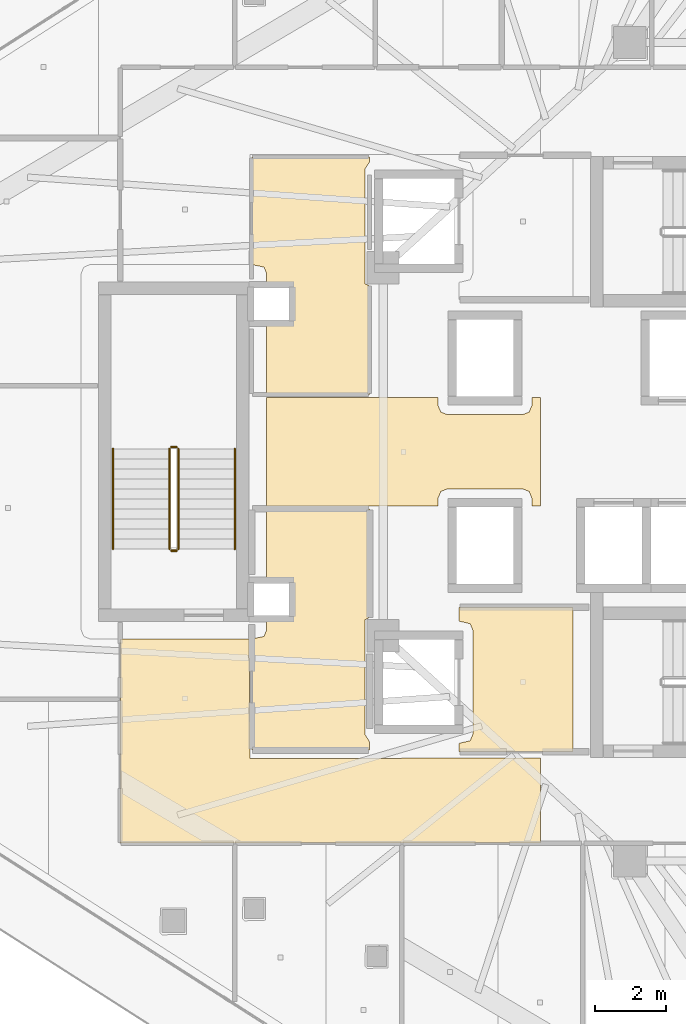
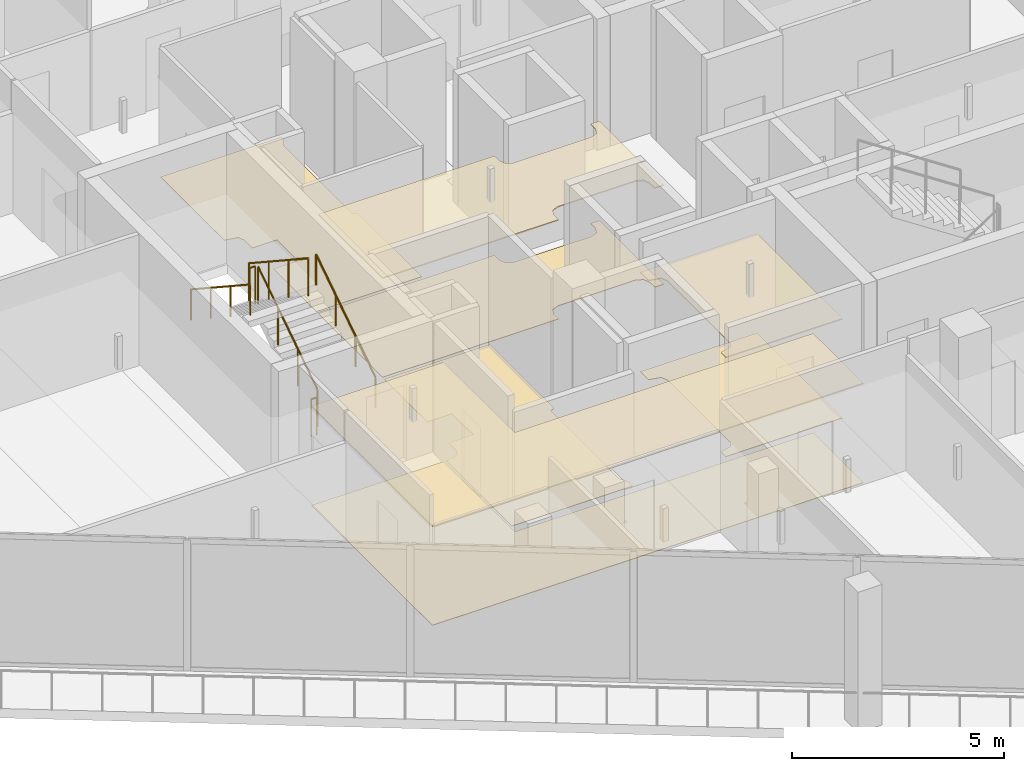
# One storey, part 29 of 33: 8 coverings, 6 railings.
"""IFC4 building model written with IfcOpenShell, lengths in metres."""

from ifc_helpers import new_model, si_unit, direction, frame, origin, origin_2d, place, context, subcontext, project, spatial, polyline, circle, outline, extrude, material, layer, layer_set, type_object, element, save


model = new_model("IFC4")

# Units and contexts
model_context = context("Model", 3, precision=1e-05, world=origin(), true_north=direction((0.0, 1.0)))
body_context = subcontext(model_context, "Body", "Model", "MODEL_VIEW")
ifc_project = project(units=[si_unit("LENGTHUNIT", "METRE"), si_unit("AREAUNIT", "SQUARE_METRE"), si_unit("VOLUMEUNIT", "CUBIC_METRE"), si_unit("PLANEANGLEUNIT", "RADIAN"), si_unit("MASSUNIT", "GRAM", prefix="KILO")], contexts=[model_context])

# Site, building, storey
site_placement = place(None, origin())
site = spatial("IfcSite", under=ifc_project, at=site_placement, CompositionType="ELEMENT")
building_placement = place(site_placement, origin())
building = spatial("IfcBuilding", under=site, at=building_placement, Name="Qorvath Tower", CompositionType="ELEMENT")
storey_placement = place(building_placement, frame((0.0, 0.0, 209.10009765625)))
storey = spatial("IfcBuildingStorey", under=building, at=storey_placement, Name="L48", CompositionType="ELEMENT", Elevation=209.10009765625)

# Coverings
ifc_material_1 = material(Name="Acoustic mineral fibre ceiling tile", Category="gypsum")
ifc_layer_1 = layer(ifc_material_1, 0.030029296875)
ifc_layer_set_1 = layer_set([ifc_layer_1], Name="COV-CEIL")
covering_type_1 = type_object("IfcCoveringType", Name="COV-CEIL", PredefinedType="CEILING", material=ifc_layer_set_1)
covering_1_placement = place(storey_placement, frame((0.0, 0.0, 2.849853515625)))
element("IfcCovering", 1, at=covering_1_placement, inside=storey, type_object=covering_type_1, Name="L48 Suspended Acoustic Ceiling 002", PredefinedType="CEILING", context=body_context, shape_type="SweptSolid", body=[
    extrude(outline(polyline([(-25.18994140625, -8.39501953125), (-25.18994140625, -4.35498046875), (-28.375, -4.35498046875), (-28.375, -4.739990234375), (-28.063232421875, -4.813232421875), (-27.989990234375, -4.989990234375), (-27.989990234375, -7.909912109375), (-28.063232421875, -8.086669921875), (-28.375, -8.159912109375), (-28.375, -8.39501953125), (-25.18994140625, -8.39501953125)])), origin(), (0.0, 0.0, 1.0), 0.030029296875),
])
covering_2_placement = place(storey_placement, frame((0.0, 0.0, 2.849853515625)))
element("IfcCovering", 2, at=covering_2_placement, inside=storey, type_object=covering_type_1, Name="L48 Suspended Acoustic Ceiling 007", PredefinedType="CEILING", context=body_context, shape_type="SweptSolid", body=[
    extrude(outline(polyline([(-34.22509765625, -8.580078125), (-34.251220703125, -5.239990234375), (-37.844970703125, -5.239990234375), (-37.844970703125, -10.945068359375), (-26.09521484375, -10.945068359375), (-26.09521484375, -8.57470703125), (-34.22509765625, -8.580078125)])), origin(), (0.0, 0.0, 1.0), 0.030029296875),
])
covering_3_placement = place(storey_placement, frame((0.0, 0.0, 2.849853515625)))
element("IfcCovering", 3, at=covering_3_placement, inside=storey, type_object=covering_type_1, Name="L48 Suspended Acoustic Ceiling 009", PredefinedType="CEILING", context=body_context, shape_type="SweptSolid", body=[
    extrude(outline(polyline([(-26.09521484375, -1.514892578125), (-26.09521484375, 1.514892578125), (-26.340087890625, 1.514892578125), (-26.340087890625, 1.2900390625), (-26.413330078125, 1.11328125), (-26.590087890625, 1.0400390625), (-28.7099609375, 1.0400390625), (-28.88671875, 1.11328125), (-28.9599609375, 1.2900390625), (-28.9599609375, 1.514892578125), (-33.760009765625, 1.514892578125), (-33.760009765625, -1.514892578125), (-28.9599609375, -1.514892578125), (-28.9599609375, -1.2900390625), (-28.88671875, -1.11328125), (-28.7099609375, -1.0400390625), (-26.590087890625, -1.0400390625), (-26.413330078125, -1.11328125), (-26.340087890625, -1.2900390625), (-26.340087890625, -1.514892578125), (-26.09521484375, -1.514892578125)])), origin(), (0.0, 0.0, 1.0), 0.030029296875),
])
ifc_material_2 = material(Name="Low-VOC modular carpet tile", Category="textile")
ifc_layer_2 = layer(ifc_material_2, 0.014892578125)
ifc_layer_set_2 = layer_set([ifc_layer_2], Name="COV-FLOOR-CPT")
covering_type_2 = type_object("IfcCoveringType", Name="COV-FLOOR-CPT", PredefinedType="FLOORING", material=ifc_layer_set_2)
covering_4_placement = place(storey_placement, origin())
element("IfcCovering", 4, at=covering_4_placement, inside=storey, type_object=covering_type_2, Name="L48 Floor Finish 006", PredefinedType="FLOORING", context=body_context, shape_type="SweptSolid", body=[
    extrude(outline(polyline([(-30.885009765625, -1.60498046875), (-33.760009765625, -1.60498046875), (-33.760009765625, -3.636962890625), (-33.08837890625, -3.638427734375), (-33.0869140625, -4.6279296875), (-33.760009765625, -4.633056640625), (-33.760009765625, -4.989990234375), (-33.833251953125, -5.166748046875), (-34.175048828125, -5.239990234375), (-34.175048828125, -8.344970703125), (-30.885009765625, -8.344970703125), (-30.885009765625, -8.108154296875), (-31.010009765625, -7.909912109375), (-31.010009765625, -4.989990234375), (-31.010009765625, -4.699951171875), (-30.885009765625, -4.639892578125), (-30.885009765625, -1.60498046875)])), origin(), (0.0, 0.0, 1.0), 0.014892578125),
])
ifc_material_3 = material(Name="Polished epoxy terrazzo flooring", Category="concrete")
ifc_layer_3 = layer(ifc_material_3, 0.02001953125)
ifc_layer_set_3 = layer_set([ifc_layer_3], Name="COV-FLOOR-TRZ")
covering_type_3 = type_object("IfcCoveringType", Name="COV-FLOOR-TRZ", PredefinedType="FLOORING", material=ifc_layer_set_3)
covering_5_placement = place(storey_placement, origin())
element("IfcCovering", 5, at=covering_5_placement, inside=storey, type_object=covering_type_3, Name="L48 Floor Finish 002", PredefinedType="FLOORING", context=body_context, shape_type="SweptSolid", body=[
    extrude(outline(polyline([(-25.18994140625, -8.39501953125), (-25.18994140625, -4.35498046875), (-28.375, -4.35498046875), (-28.375, -4.739990234375), (-28.063232421875, -4.813232421875), (-27.989990234375, -4.989990234375), (-27.989990234375, -7.909912109375), (-28.063232421875, -8.086669921875), (-28.375, -8.159912109375), (-28.375, -8.39501953125), (-25.18994140625, -8.39501953125)])), origin(), (0.0, 0.0, 1.0), 0.014892578125),
])
covering_6_placement = place(storey_placement, origin())
element("IfcCovering", 6, at=covering_6_placement, inside=storey, type_object=covering_type_3, Name="L48 Floor Finish 005", PredefinedType="FLOORING", context=body_context, shape_type="SweptSolid", body=[
    extrude(outline(polyline([(-30.885009765625, 8.2451171875), (-34.175048828125, 8.2451171875), (-34.175048828125, 5.239990234375), (-33.833251953125, 5.166748046875), (-33.760009765625, 4.989990234375), (-33.760009765625, 4.633056640625), (-33.0869140625, 4.6279296875), (-33.08837890625, 3.638427734375), (-33.760009765625, 3.636962890625), (-33.760009765625, 1.60498046875), (-30.885009765625, 1.60498046875), (-30.885009765625, 4.639892578125), (-31.010009765625, 4.699951171875), (-31.010009765625, 7.909912109375), (-30.885009765625, 8.108154296875), (-30.885009765625, 8.2451171875)])), origin(), (0.0, 0.0, 1.0), 0.014892578125),
])
covering_7_placement = place(storey_placement, origin())
element("IfcCovering", 7, at=covering_7_placement, inside=storey, type_object=covering_type_3, Name="L48 Floor Finish 007", PredefinedType="FLOORING", context=body_context, shape_type="SweptSolid", body=[
    extrude(outline(polyline([(-34.22509765625, -8.580078125), (-34.251220703125, -5.239990234375), (-37.844970703125, -5.239990234375), (-37.844970703125, -10.945068359375), (-26.09521484375, -10.945068359375), (-26.09521484375, -8.57470703125), (-34.22509765625, -8.580078125)])), origin(), (0.0, 0.0, 1.0), 0.014892578125),
])
covering_8_placement = place(storey_placement, origin())
element("IfcCovering", 8, at=covering_8_placement, inside=storey, type_object=covering_type_3, Name="L48 Floor Finish 009", PredefinedType="FLOORING", context=body_context, shape_type="SweptSolid", body=[
    extrude(outline(polyline([(-26.09521484375, -1.514892578125), (-26.09521484375, 1.514892578125), (-26.340087890625, 1.514892578125), (-26.340087890625, 1.2900390625), (-26.413330078125, 1.11328125), (-26.590087890625, 1.0400390625), (-28.7099609375, 1.0400390625), (-28.88671875, 1.11328125), (-28.9599609375, 1.2900390625), (-28.9599609375, 1.514892578125), (-33.760009765625, 1.514892578125), (-33.760009765625, -1.514892578125), (-28.9599609375, -1.514892578125), (-28.9599609375, -1.2900390625), (-28.88671875, -1.11328125), (-28.7099609375, -1.0400390625), (-26.590087890625, -1.0400390625), (-26.413330078125, -1.11328125), (-26.340087890625, -1.2900390625), (-26.340087890625, -1.514892578125), (-26.09521484375, -1.514892578125)])), origin(), (0.0, 0.0, 1.0), 0.014892578125),
])

# Railings
ifc_material_4 = material(Name="Painted galvanised steel", Category="steel")
railing_type_1 = type_object("IfcRailingType", Name="RL-STR-GRD", PredefinedType="GUARDRAIL", material=ifc_material_4)
railing_1_placement = place(storey_placement, frame((-36.22998046875, -2.719970703125, 0.18408203125)))
element("IfcRailing", 9, at=railing_1_placement, inside=storey, type_object=railing_type_1, Name="L48 TS3 stair guard 1", PredefinedType="GUARDRAIL", context=body_context, shape_type="SweptSolid", body=[
    extrude(circle(Radius=0.02392578125, at=origin_2d()), frame((0.0, 0.0, 1.076171875), z_axis=(0.0, 0.835597507184, 0.549342157483), x_axis=(-1.0, 0.0, 0.0)), (0.0, 0.0, 1.0), 3.35107421875),
    extrude(circle(Radius=0.02099609375, at=origin_2d()), origin(), (0.0, 0.0, 1.0), 1.052001953125),
    extrude(circle(Radius=0.02099609375, at=origin_2d()), frame((0.0, 0.933349609375, 0.613525390625)), (0.0, 0.0, 1.0), 1.052001953125),
    extrude(circle(Radius=0.02099609375, at=origin_2d()), frame((0.0, 1.86669921875, 1.227294921875)), (0.0, 0.0, 1.0), 1.052001953125),
    extrude(circle(Radius=0.02099609375, at=origin_2d()), frame((0.0, 2.800048828125, 1.8408203125)), (0.0, 0.0, 1.0), 1.052001953125),
])
railing_2_placement = place(storey_placement, frame((-36.280029296875, 0.1298828125, 2.02490234375)))
element("IfcRailing", 10, at=railing_2_placement, inside=storey, type_object=railing_type_1, Name="L48 TS3 stair guard 2", PredefinedType="GUARDRAIL", context=body_context, shape_type="SweptSolid", body=[
    extrude(circle(Radius=0.02392578125, at=origin_2d()), frame((0.0, 0.0, 1.076171875), z_axis=(-1.0, 0.0, 0.0), x_axis=(0.0, -1.0, 0.0)), (0.0, 0.0, 1.0), 0.14990234375),
    extrude(circle(Radius=0.02099609375, at=origin_2d()), origin(), (0.0, 0.0, 1.0), 1.052001953125),
    extrude(circle(Radius=0.02099609375, at=origin_2d()), frame((-0.14990234375, 0.0, 0.0)), (0.0, 0.0, 1.0), 1.052001953125),
])
railing_3_placement = place(storey_placement, frame((-36.47998046875, 0.080078125, 2.208984375)))
element("IfcRailing", 11, at=railing_3_placement, inside=storey, type_object=railing_type_1, Name="L48 TS3 stair guard 3", PredefinedType="GUARDRAIL", context=body_context, shape_type="SweptSolid", body=[
    extrude(circle(Radius=0.02392578125, at=origin_2d()), frame((0.0, 0.0, 1.076171875), z_axis=(0.0, -0.835597507184, 0.549342157483), x_axis=(1.0, 0.0, 0.0)), (0.0, 0.0, 1.0), 3.35107421875),
    extrude(circle(Radius=0.02099609375, at=origin_2d()), origin(), (0.0, 0.0, 1.0), 1.052001953125),
    extrude(circle(Radius=0.02099609375, at=origin_2d()), frame((0.0, -0.933349609375, 0.613525390625)), (0.0, 0.0, 1.0), 1.052001953125),
    extrude(circle(Radius=0.02099609375, at=origin_2d()), frame((0.0, -1.86669921875, 1.227294921875)), (0.0, 0.0, 1.0), 1.052001953125),
    extrude(circle(Radius=0.02099609375, at=origin_2d()), frame((0.0, -2.800048828125, 1.8408203125)), (0.0, 0.0, 1.0), 1.052001953125),
])
railing_4_placement = place(storey_placement, frame((-36.280029296875, -2.77001953125, 0.0)))
element("IfcRailing", 12, at=railing_4_placement, inside=storey, type_object=railing_type_1, Name="L48 TS3 stair guard 4", PredefinedType="GUARDRAIL", context=body_context, shape_type="SweptSolid", body=[
    extrude(circle(Radius=0.02392578125, at=origin_2d()), frame((0.0, 0.0, 1.076171875), z_axis=(-1.0, 0.0, 0.0), x_axis=(0.0, -1.0, 0.0)), (0.0, 0.0, 1.0), 0.14990234375),
    extrude(circle(Radius=0.02099609375, at=origin_2d()), origin(), (0.0, 0.0, 1.0), 1.052001953125),
    extrude(circle(Radius=0.02099609375, at=origin_2d()), frame((-0.14990234375, 0.0, 0.0)), (0.0, 0.0, 1.0), 1.052001953125),
])
ifc_material_5 = material(Name="Brushed stainless steel AISI 304", Category="steel")
railing_type_2 = type_object("IfcRailingType", Name="RL-STR-HND", PredefinedType="HANDRAIL", material=ifc_material_5)
railing_5_placement = place(storey_placement, frame((-34.64990234375, -2.719970703125, 0.18408203125)))
element("IfcRailing", 13, at=railing_5_placement, inside=storey, type_object=railing_type_2, Name="L48 TS3 stair handrail 1", PredefinedType="HANDRAIL", context=body_context, shape_type="SweptSolid", body=[
    extrude(circle(Radius=0.02392578125, at=origin_2d()), frame((0.0, 0.0, 0.8759765625), z_axis=(0.0, 0.835597507184, 0.549342157483), x_axis=(-1.0, 0.0, 0.0)), (0.0, 0.0, 1.0), 3.35107421875),
    extrude(circle(Radius=0.02099609375, at=origin_2d()), origin(), (0.0, 0.0, 1.0), 0.851806640625),
    extrude(circle(Radius=0.02099609375, at=origin_2d()), frame((0.0, 0.933349609375, 0.613525390625)), (0.0, 0.0, 1.0), 0.851806640625),
    extrude(circle(Radius=0.02099609375, at=origin_2d()), frame((0.0, 1.86669921875, 1.227294921875)), (0.0, 0.0, 1.0), 0.851806640625),
    extrude(circle(Radius=0.02099609375, at=origin_2d()), frame((0.0, 2.800048828125, 1.8408203125)), (0.0, 0.0, 1.0), 0.851806640625),
])
railing_6_placement = place(storey_placement, frame((-38.06005859375, 0.080078125, 2.208984375)))
element("IfcRailing", 14, at=railing_6_placement, inside=storey, type_object=railing_type_2, Name="L48 TS3 stair handrail 2", PredefinedType="HANDRAIL", context=body_context, shape_type="SweptSolid", body=[
    extrude(circle(Radius=0.02392578125, at=origin_2d()), frame((0.0, 0.0, 0.8759765625), z_axis=(0.0, -0.835597507184, 0.549342157483), x_axis=(1.0, 0.0, 0.0)), (0.0, 0.0, 1.0), 3.35107421875),
    extrude(circle(Radius=0.02099609375, at=origin_2d()), origin(), (0.0, 0.0, 1.0), 0.851806640625),
    extrude(circle(Radius=0.02099609375, at=origin_2d()), frame((0.0, -0.933349609375, 0.613525390625)), (0.0, 0.0, 1.0), 0.851806640625),
    extrude(circle(Radius=0.02099609375, at=origin_2d()), frame((0.0, -1.86669921875, 1.227294921875)), (0.0, 0.0, 1.0), 0.851806640625),
    extrude(circle(Radius=0.02099609375, at=origin_2d()), frame((0.0, -2.800048828125, 1.8408203125)), (0.0, 0.0, 1.0), 0.851806640625),
])

save(model, "model.ifc")
